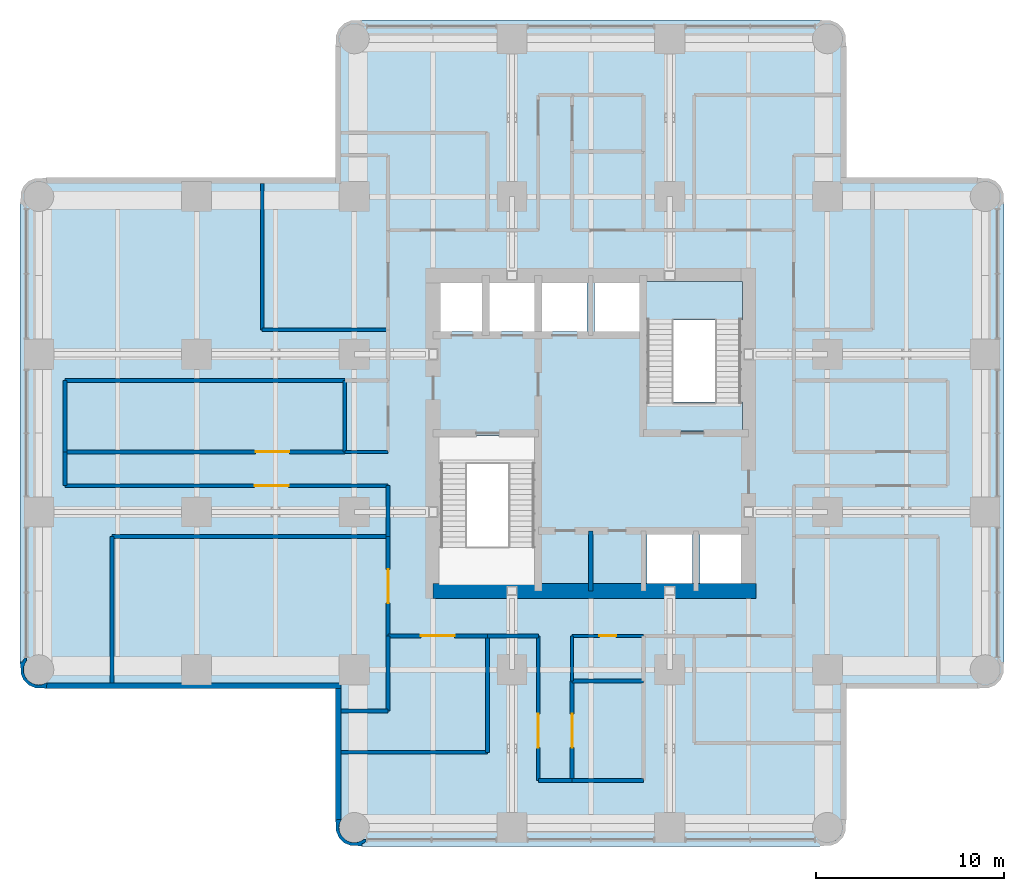
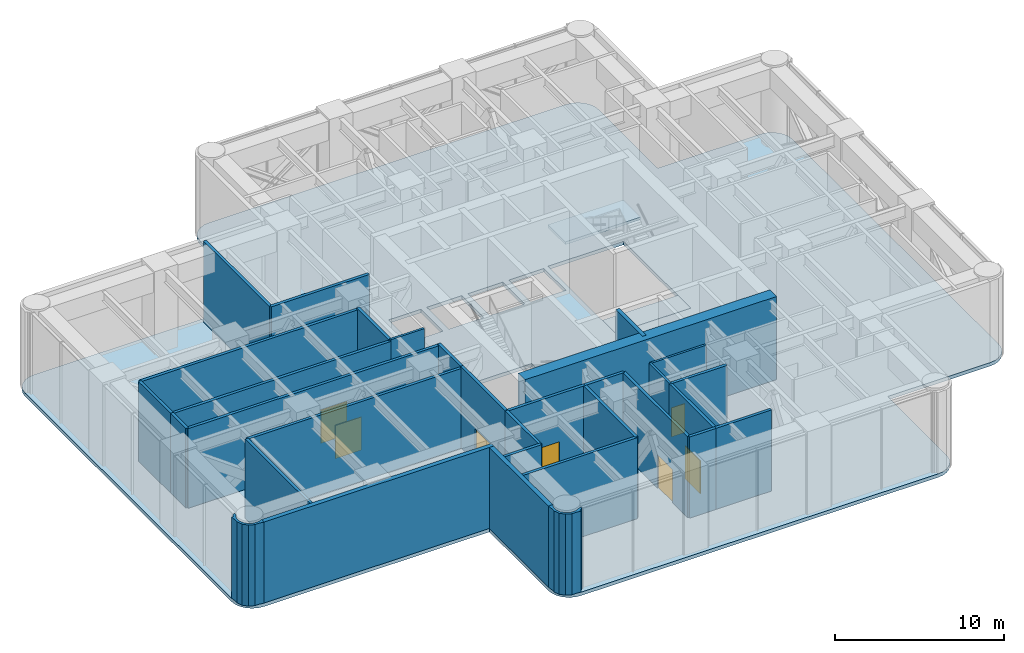
# One storey, part 7 of 12: 32 walls, 7 doors, 3 slabs, 7 openings, 1 element without a shape of its own.
"""IFC4 building model written with IfcOpenShell, lengths in metres."""

from ifc_helpers import new_model, si_unit, direction, frame, frame_2d, origin, place, context, subcontext, project, spatial, polyline, rectangle, outline, extrude, material, layer, layer_set, type_object, element, fill, aggregate, save


model = new_model("IFC4")

# Units and contexts
model_context = context("Model", 3, precision=1e-05, world=origin(), true_north=direction((0.0, 1.0)))
body_context = subcontext(model_context, "Body", "Model", "MODEL_VIEW")
ifc_project = project(units=[si_unit("LENGTHUNIT", "METRE"), si_unit("AREAUNIT", "SQUARE_METRE"), si_unit("VOLUMEUNIT", "CUBIC_METRE"), si_unit("PLANEANGLEUNIT", "RADIAN"), si_unit("MASSUNIT", "GRAM", prefix="KILO")], contexts=[model_context])

# Site, building, storey
site_placement = place(None, origin())
site = spatial("IfcSite", under=ifc_project, at=site_placement, CompositionType="ELEMENT")
building_placement = place(site_placement, origin())
building = spatial("IfcBuilding", under=site, at=building_placement, Name="Torre Alcanfor", CompositionType="ELEMENT")
storey_placement = place(building_placement, frame((0.0, 0.0, 248.10009765625)))
storey = spatial("IfcBuildingStorey", under=building, at=storey_placement, Name="L65", CompositionType="ELEMENT", Elevation=248.10009765625)

# Slab
ifc_material_1 = material(Name="Concrete f'c 35 MPa", Category="concrete")
ifc_layer_1 = layer(ifc_material_1, 0.25)
ifc_layer_set_1 = layer_set([ifc_layer_1], Name="Floor slab 250")
slab_type_1 = type_object("IfcSlabType", Name="Floor slab 250", PredefinedType="FLOOR", material=ifc_layer_set_1)
slab_1_placement = place(storey_placement, frame((0.0, 0.0, -0.25)))
element("IfcSlab", 1, at=slab_1_placement, inside=storey, type_object=slab_type_1, Name="Floor slab L65", PredefinedType="FLOOR", context=body_context, shape_type="SweptSolid", body=[
    extrude(outline(polyline([(15.800048828125, 43.0), (0.39990234375, 43.0), (0.03759765625, 42.952392578125), (-0.300048828125, 42.8125), (-0.58984375, 42.58984375), (-0.8125, 42.300048828125), (-0.952392578125, 41.96240234375), (-1.0, 41.60009765625), (-1.0, 17.199951171875), (-0.952392578125, 16.837646484375), (-0.8125, 16.5), (-0.58984375, 16.210205078125), (-0.300048828125, 15.987548828125), (0.03759765625, 15.84765625), (0.39990234375, 15.800048828125), (15.800048828125, 15.800048828125), (15.800048828125, 8.800048828125), (15.84765625, 8.437744140625), (15.987548828125, 8.10009765625), (16.210205078125, 7.81005859375), (16.5, 7.587646484375), (16.837646484375, 7.44775390625), (17.199951171875, 7.39990234375), (41.60009765625, 7.39990234375), (41.96240234375, 7.44775390625), (42.300048828125, 7.587646484375), (42.58984375, 7.81005859375), (42.8125, 8.10009765625), (42.952392578125, 8.437744140625), (43.0, 8.800048828125), (43.0, 15.800048828125), (50.0, 15.800048828125), (50.3623046875, 15.84765625), (50.699951171875, 15.987548828125), (50.989990234375, 16.210205078125), (51.21240234375, 16.5), (51.352294921875, 16.837646484375), (51.39990234375, 17.199951171875), (51.39990234375, 41.60009765625), (51.352294921875, 41.96240234375), (51.21240234375, 42.300048828125), (50.989990234375, 42.58984375), (50.699951171875, 42.8125), (50.3623046875, 42.952392578125), (50.0, 43.0), (43.0, 43.0), (43.0, 50.0), (42.952392578125, 50.3623046875), (42.8125, 50.699951171875), (42.58984375, 50.989990234375), (42.300048828125, 51.21240234375), (41.96240234375, 51.352294921875), (41.60009765625, 51.39990234375), (17.199951171875, 51.39990234375), (16.837646484375, 51.352294921875), (16.5, 51.21240234375), (16.210205078125, 50.989990234375), (15.987548828125, 50.699951171875), (15.84765625, 50.3623046875), (15.800048828125, 50.0), (15.800048828125, 43.0)]), holes=[polyline([(21.320068359375, 21.320068359375), (26.47998046875, 21.320068359375), (26.47998046875, 29.280029296875), (21.320068359375, 29.280029296875), (21.320068359375, 21.320068359375)]), polyline([(32.320068359375, 29.52001953125), (37.47998046875, 29.52001953125), (37.47998046875, 37.47998046875), (32.320068359375, 37.47998046875), (32.320068359375, 29.52001953125)]), polyline([(32.39990234375, 21.39990234375), (34.800048828125, 21.39990234375), (34.800048828125, 24.0), (32.39990234375, 24.0), (32.39990234375, 21.39990234375)]), polyline([(35.199951171875, 21.39990234375), (37.39990234375, 21.39990234375), (37.39990234375, 24.0), (35.199951171875, 24.0), (35.199951171875, 21.39990234375)]), polyline([(21.39990234375, 34.800048828125), (23.60009765625, 34.800048828125), (23.60009765625, 37.39990234375), (21.39990234375, 37.39990234375), (21.39990234375, 34.800048828125)]), polyline([(24.0, 34.800048828125), (26.39990234375, 34.800048828125), (26.39990234375, 37.39990234375), (24.0, 37.39990234375), (24.0, 34.800048828125)]), polyline([(26.800048828125, 34.800048828125), (29.199951171875, 34.800048828125), (29.199951171875, 37.39990234375), (26.800048828125, 37.39990234375), (26.800048828125, 34.800048828125)]), polyline([(29.60009765625, 34.800048828125), (32.0, 34.800048828125), (32.0, 37.39990234375), (29.60009765625, 37.39990234375), (29.60009765625, 34.800048828125)])]), origin(), (0.0, 0.0, 1.0), 0.25),
])

# Stair, slabs
ifc_material_2 = material(Name="Concrete f'c 35 MPa", Category="concrete")
stair_type = type_object("IfcStairType", Name="Exit stair S2 1400 wide", PredefinedType="HALF_TURN_STAIR", material=ifc_material_2)
stair_placement = place(storey_placement, origin())
stair = element("IfcStair", 2, at=stair_placement, inside=storey, type_object=stair_type, Name="Stair S2 L65 to L66", PredefinedType="HALF_TURN_STAIR")
ifc_material_3 = material(Name="Concrete f'c 35 MPa", Category="concrete")
ifc_layer_2 = layer(ifc_material_3, 0.199951171875)
ifc_layer_set_2 = layer_set([ifc_layer_2], Name="Stair landing 200")
slab_type_2 = type_object("IfcSlabType", Name="Stair landing 200", PredefinedType="LANDING", material=ifc_layer_set_2)
slab_2_placement = place(storey_placement, frame((0.0, 0.0, -0.2001953125)))
slab_2 = element("IfcSlab", 3, at=slab_2_placement, type_object=slab_type_2, Name="S2 landing 1", PredefinedType="LANDING", context=body_context, shape_type="SweptSolid", body=[
    extrude(outline(polyline([(32.320068359375, 29.52001953125), (37.47998046875, 29.52001953125), (37.47998046875, 31.050048828125), (32.320068359375, 31.050048828125), (32.320068359375, 29.52001953125)])), origin(), (0.0, 0.0, 1.0), 0.2001953125),
])
slab_3_placement = place(storey_placement, frame((0.0, 0.0, 2.7998046875)))
slab_3 = element("IfcSlab", 4, at=slab_3_placement, type_object=slab_type_2, Name="S2 landing 2", PredefinedType="LANDING", context=body_context, shape_type="SweptSolid", body=[
    extrude(outline(polyline([(32.320068359375, 35.429931640625), (37.47998046875, 35.429931640625), (37.47998046875, 37.47998046875), (32.320068359375, 37.47998046875), (32.320068359375, 35.429931640625)])), origin(), (0.0, 0.0, 1.0), 0.2001953125),
])
aggregate(stair, [slab_2, slab_3])

# Walls
ifc_material_4 = material(Name="Concrete f'c 70 MPa", Category="concrete")
ifc_layer_3 = layer(ifc_material_4, 0.25)
ifc_layer_set_3 = layer_set([ifc_layer_3], Name="Core shaft wall 250 f'c70")
wall_type_1 = type_object("IfcWallType", Name="Core shaft wall 250 f'c70", PredefinedType="SHEAR", material=ifc_layer_set_3)
wall_1_placement = place(storey_placement, frame((29.39990234375, 21.0, 0.0), z_axis=(0.0, 0.0, 1.0), x_axis=(0.0, 1.0, 0.0)))
element("IfcWall", 5, at=wall_1_placement, inside=storey, type_object=wall_type_1, Name="Core wall X294S L65", PredefinedType="SHEAR", context=body_context, shape_type="SweptSolid", body=[
    extrude(rectangle(XDim=3.199951171875, YDim=0.25, at=frame_2d((1.60009765625, 0.0))), origin(), (0.0, 0.0, 1.0), 6.0),
])
ifc_material_5 = material(Name="Concrete f'c 70 MPa", Category="concrete")
ifc_layer_4 = layer(ifc_material_5, 0.800048828125)
ifc_layer_set_4 = layer_set([ifc_layer_4], Name="Core wall 800 f'c70")
wall_type_2 = type_object("IfcWallType", Name="Core wall 800 f'c70", PredefinedType="SHEAR", material=ifc_layer_set_4)
wall_2_placement = place(storey_placement, frame((21.0, 21.0, 0.0), z_axis=(0.0, 0.0, 1.0), x_axis=(1.0, 0.0, 0.0)))
element("IfcWall", 6, at=wall_2_placement, inside=storey, type_object=wall_type_2, Name="Core wall OUT-S L65", PredefinedType="SHEAR", context=body_context, shape_type="SweptSolid", body=[
    extrude(rectangle(XDim=17.199951171875, YDim=0.800048828125, at=frame_2d((8.60009765625, 0.0))), origin(), (0.0, 0.0, 1.0), 6.0),
])
ifc_material_6 = material(Name="Limestone cladding", Category="masonry")
ifc_layer_5 = layer(ifc_material_6, 0.0400390625, Name="Facing")
ifc_material_7 = material(Name="Ventilated air cavity")
ifc_layer_6 = layer(ifc_material_7, 0.02001953125, ventilated=True, Name="Ventilated joint")
ifc_material_8 = material(Name="Mineral wool insulation", Category="insulation")
ifc_layer_7 = layer(ifc_material_8, 0.10009765625, Name="Insulation")
ifc_material_9 = material(Name="Concrete f'c 35 MPa", Category="concrete")
ifc_layer_8 = layer(ifc_material_9, 0.139892578125, Name="Backing")
ifc_layer_set_5 = layer_set([ifc_layer_5, ifc_layer_6, ifc_layer_7, ifc_layer_8], Name="External wall stone-clad 300")
wall_type_3 = type_object("IfcWallType", Name="External wall stone-clad 300", PredefinedType="SOLIDWALL", material=ifc_layer_set_5)
wall_3_placement = place(storey_placement, frame((0.39990234375, 15.949951171875, 0.0), z_axis=(0.0, 0.0, 1.0), x_axis=(1.0, 0.0, 0.0)))
element("IfcWall", 7, at=wall_3_placement, inside=storey, type_object=wall_type_3, Name="External wall L65 3", PredefinedType="SOLIDWALL", context=body_context, shape_type="SweptSolid", body=[
    extrude(rectangle(XDim=15.7001953125, YDim=0.300048828125, at=frame_2d((7.85009765625, 0.0))), origin(), (0.0, 0.0, 1.0), 5.849853515625),
])
wall_4_placement = place(storey_placement, frame((15.949951171875, 15.800048828125, 0.0), z_axis=(0.0, 0.0, 1.0), x_axis=(0.0, -1.0, 0.0)))
element("IfcWall", 8, at=wall_4_placement, inside=storey, type_object=wall_type_3, Name="External wall L65 4", PredefinedType="SOLIDWALL", context=body_context, shape_type="SweptSolid", body=[
    extrude(rectangle(XDim=7.0, YDim=0.300048828125, at=frame_2d((3.5, 0.0))), origin(), (0.0, 0.0, 1.0), 5.849853515625),
])

# Wall, opening, door
ifc_material_10 = material(Name="Concrete block masonry, hollow blocks NMX-C-404 9 MPa", Category="masonry")
ifc_layer_9 = layer(ifc_material_10, 0.199951171875)
ifc_layer_set_6 = layer_set([ifc_layer_9], Name="Plant room wall 200 EI 60")
wall_type_4 = type_object("IfcWallType", Name="Plant room wall 200 EI 60", PredefinedType="PARTITIONING", material=ifc_layer_set_6)
wall_5_placement = place(storey_placement, frame((23.89990234375, 18.60009765625, 0.0), z_axis=(0.0, 0.0, 1.0), x_axis=(-1.0, 0.0, 0.0)))
wall_5 = element("IfcWall", 9, at=wall_5_placement, inside=storey, type_object=wall_type_4, Name="Partition L65-CORR / L65-S1", PredefinedType="PARTITIONING", context=body_context, shape_type="SweptSolid", body=[
    extrude(rectangle(XDim=5.2998046875, YDim=0.199951171875, at=frame_2d((2.64990234375, 0.0))), origin(), (0.0, 0.0, 1.0), 5.849853515625),
])
opening_1_placement = place(wall_5_placement, frame((1.75, 0.0, 0.0)))
opening_1 = element("IfcOpeningElement", 10, at=opening_1_placement, cuts=wall_5, Name="Opening D-P1", PredefinedType="OPENING", context=body_context, shape_type="SweptSolid", body=[
    extrude(rectangle(XDim=1.800048828125, YDim=2.39990234375, at=frame_2d((0.89990234375, 1.199951171875))), frame((0.0, 0.10986328125, 0.0), z_axis=(0.0, -1.0, 0.0), x_axis=(1.0, 0.0, 0.0)), (0.0, 0.0, 1.0), 0.219970703125),
])
ifc_material_11 = material(Name="Galvanised steel sheet ASTM A653", Category="steel")
door_type_1 = type_object("IfcDoorType", Name="Plant room door FD60 1800x2400", OperationType="DOUBLE_DOOR_SINGLE_SWING", PredefinedType="DOOR", material=ifc_material_11)
door_1_placement = place(opening_1_placement, origin())
door_1 = element("IfcDoor", 11, at=door_1_placement, inside=storey, type_object=door_type_1, Name="Door L65-S1 chilled water heat exchanger room", OperationType="DOUBLE_DOOR_SINGLE_SWING", OverallHeight=2.39990234375, OverallWidth=1.800048828125, PredefinedType="DOOR", context=body_context, shape_type="SweptSolid", body=[
    extrude(rectangle(XDim=1.800048828125, YDim=2.39990234375, at=frame_2d((0.89990234375, 1.199951171875))), frame((0.0, 0.02490234375, 0.0), z_axis=(0.0, -1.0, 0.0), x_axis=(1.0, 0.0, 0.0)), (0.0, 0.0, 1.0), 0.050048828125),
])
fill(opening_1, door_1)

# Wall
wall_6_placement = place(storey_placement, frame((26.60009765625, 18.60009765625, 0.0), z_axis=(0.0, 0.0, 1.0), x_axis=(-1.0, 0.0, 0.0)))
element("IfcWall", 12, at=wall_6_placement, inside=storey, type_object=wall_type_4, Name="Partition L65-CORR / L65-SH", PredefinedType="PARTITIONING", context=body_context, shape_type="SweptSolid", body=[
    extrude(rectangle(XDim=2.7001953125, YDim=0.199951171875, at=frame_2d((1.35009765625, 0.0))), origin(), (0.0, 0.0, 1.0), 5.849853515625),
])

# Wall, opening, door
wall_7_placement = place(storey_placement, frame((18.60009765625, 18.60009765625, 0.0), z_axis=(0.0, 0.0, 1.0), x_axis=(0.0, 1.0, 0.0)))
wall_7 = element("IfcWall", 13, at=wall_7_placement, inside=storey, type_object=wall_type_4, Name="Partition L65-CORR / L65-W1", PredefinedType="PARTITIONING", context=body_context, shape_type="SweptSolid", body=[
    extrude(rectangle(XDim=5.2998046875, YDim=0.199951171875, at=frame_2d((2.64990234375, 0.0))), origin(), (0.0, 0.0, 1.0), 5.849853515625),
])
opening_2_placement = place(wall_7_placement, frame((1.75, 0.0, 0.0)))
opening_2 = element("IfcOpeningElement", 14, at=opening_2_placement, cuts=wall_7, Name="Opening D-P1", PredefinedType="OPENING", context=body_context, shape_type="SweptSolid", body=[
    extrude(rectangle(XDim=1.800048828125, YDim=2.39990234375, at=frame_2d((0.89990234375, 1.199951171875))), frame((0.0, 0.10986328125, 0.0), z_axis=(0.0, -1.0, 0.0), x_axis=(1.0, 0.0, 0.0)), (0.0, 0.0, 1.0), 0.219970703125),
])
door_2_placement = place(opening_2_placement, origin())
door_2 = element("IfcDoor", 15, at=door_2_placement, inside=storey, type_object=door_type_1, Name="Door L65-W1 sprinkler zone valve room", OperationType="DOUBLE_DOOR_SINGLE_SWING", OverallHeight=2.39990234375, OverallWidth=1.800048828125, PredefinedType="DOOR", context=body_context, shape_type="SweptSolid", body=[
    extrude(rectangle(XDim=1.800048828125, YDim=2.39990234375, at=frame_2d((0.89990234375, 1.199951171875))), frame((0.0, 0.02490234375, 0.0), z_axis=(0.0, -1.0, 0.0), x_axis=(1.0, 0.0, 0.0)), (0.0, 0.0, 1.0), 0.050048828125),
])
fill(opening_2, door_2)

# Walls
wall_8_placement = place(storey_placement, frame((18.60009765625, 23.89990234375, 0.0), z_axis=(0.0, 0.0, 1.0), x_axis=(0.0, 1.0, 0.0)))
element("IfcWall", 16, at=wall_8_placement, inside=storey, type_object=wall_type_4, Name="Partition L65-CORR / L65-WH", PredefinedType="PARTITIONING", context=body_context, shape_type="SweptSolid", body=[
    extrude(rectangle(XDim=2.7001953125, YDim=0.199951171875, at=frame_2d((1.35009765625, 0.0))), origin(), (0.0, 0.0, 1.0), 5.849853515625),
])
wall_9_placement = place(storey_placement, frame((23.89990234375, 18.60009765625, 0.0), z_axis=(0.0, 0.0, 1.0), x_axis=(0.0, -1.0, 0.0)))
element("IfcWall", 17, at=wall_9_placement, inside=storey, type_object=wall_type_4, Name="Partition L65-S1 / L65-SH", PredefinedType="PARTITIONING", context=body_context, shape_type="SweptSolid", body=[
    extrude(rectangle(XDim=6.2001953125, YDim=0.199951171875, at=frame_2d((3.10009765625, 0.0))), origin(), (0.0, 0.0, 1.0), 5.849853515625),
])
wall_10_placement = place(storey_placement, frame((23.89990234375, 12.39990234375, 0.0), z_axis=(0.0, 0.0, 1.0), x_axis=(-1.0, 0.0, 0.0)))
element("IfcWall", 18, at=wall_10_placement, inside=storey, type_object=wall_type_4, Name="Partition L65-S1 / L65-SH", PredefinedType="PARTITIONING", context=body_context, shape_type="SweptSolid", body=[
    extrude(rectangle(XDim=7.7998046875, YDim=0.199951171875, at=frame_2d((3.89990234375, 0.0))), origin(), (0.0, 0.0, 1.0), 5.849853515625),
])
wall_11_placement = place(storey_placement, frame((16.10009765625, 14.60009765625, 0.0), z_axis=(0.0, 0.0, 1.0), x_axis=(1.0, 0.0, 0.0)))
element("IfcWall", 19, at=wall_11_placement, inside=storey, type_object=wall_type_4, Name="Partition L65-S1 / L65-W1", PredefinedType="PARTITIONING", context=body_context, shape_type="SweptSolid", body=[
    extrude(rectangle(XDim=2.5, YDim=0.199951171875, at=frame_2d((1.25, 0.0))), origin(), (0.0, 0.0, 1.0), 5.849853515625),
])
wall_12_placement = place(storey_placement, frame((18.60009765625, 14.60009765625, 0.0), z_axis=(0.0, 0.0, 1.0), x_axis=(0.0, 1.0, 0.0)))
element("IfcWall", 20, at=wall_12_placement, inside=storey, type_object=wall_type_4, Name="Partition L65-S1 / L65-W1", PredefinedType="PARTITIONING", context=body_context, shape_type="SweptSolid", body=[
    extrude(rectangle(XDim=4.0, YDim=0.199951171875, at=frame_2d((2.0, 0.0))), origin(), (0.0, 0.0, 1.0), 5.849853515625),
])

# Wall, opening, door
wall_13_placement = place(storey_placement, frame((28.39990234375, 16.199951171875, 0.0), z_axis=(0.0, 0.0, 1.0), x_axis=(0.0, -1.0, 0.0)))
wall_13 = element("IfcWall", 21, at=wall_13_placement, inside=storey, type_object=wall_type_4, Name="Partition L65-SC / L65-S4", PredefinedType="PARTITIONING", context=body_context, shape_type="SweptSolid", body=[
    extrude(rectangle(XDim=5.300048828125, YDim=0.199951171875, at=frame_2d((2.64990234375, 0.0))), origin(), (0.0, 0.0, 1.0), 5.849853515625),
])
opening_3_placement = place(wall_13_placement, frame((1.75, 0.0, 0.0)))
opening_3 = element("IfcOpeningElement", 22, at=opening_3_placement, cuts=wall_13, Name="Opening D-P1", PredefinedType="OPENING", context=body_context, shape_type="SweptSolid", body=[
    extrude(rectangle(XDim=1.800048828125, YDim=2.39990234375, at=frame_2d((0.89990234375, 1.199951171875))), frame((0.0, 0.10986328125, 0.0), z_axis=(0.0, -1.0, 0.0), x_axis=(1.0, 0.0, 0.0)), (0.0, 0.0, 1.0), 0.219970703125),
])
door_3_placement = place(opening_3_placement, origin())
door_3 = element("IfcDoor", 23, at=door_3_placement, inside=storey, type_object=door_type_1, Name="Door L65-S4 electrical riser room", OperationType="DOUBLE_DOOR_SINGLE_SWING", OverallHeight=2.39990234375, OverallWidth=1.800048828125, PredefinedType="DOOR", context=body_context, shape_type="SweptSolid", body=[
    extrude(rectangle(XDim=1.800048828125, YDim=2.39990234375, at=frame_2d((0.89990234375, 1.199951171875))), frame((0.0, 0.02490234375, 0.0), z_axis=(0.0, -1.0, 0.0), x_axis=(1.0, 0.0, 0.0)), (0.0, 0.0, 1.0), 0.050048828125),
])
fill(opening_3, door_3)

# Wall
wall_14_placement = place(storey_placement, frame((28.39990234375, 10.89990234375, 0.0), z_axis=(0.0, 0.0, 1.0), x_axis=(-1.0, 0.0, 0.0)))
element("IfcWall", 24, at=wall_14_placement, inside=storey, type_object=wall_type_4, Name="Partition L65-SC / L65-SH", PredefinedType="PARTITIONING", context=body_context, shape_type="SweptSolid", body=[
    extrude(rectangle(XDim=1.7998046875, YDim=0.199951171875, at=frame_2d((0.89990234375, 0.0))), origin(), (0.0, 0.0, 1.0), 5.849853515625),
])

# Wall, opening, door
wall_15_placement = place(storey_placement, frame((26.60009765625, 10.89990234375, 0.0), z_axis=(0.0, 0.0, 1.0), x_axis=(0.0, 1.0, 0.0)))
wall_15 = element("IfcWall", 25, at=wall_15_placement, inside=storey, type_object=wall_type_4, Name="Partition L65-SC / L65-SH", PredefinedType="PARTITIONING", context=body_context, shape_type="SweptSolid", body=[
    extrude(rectangle(XDim=7.7001953125, YDim=0.199951171875, at=frame_2d((3.85009765625, 0.0))), origin(), (0.0, 0.0, 1.0), 5.849853515625),
])
opening_4_placement = place(wall_15_placement, frame((1.75, 0.0, 0.0)))
opening_4 = element("IfcOpeningElement", 26, at=opening_4_placement, cuts=wall_15, Name="Opening D-P1", PredefinedType="OPENING", context=body_context, shape_type="SweptSolid", body=[
    extrude(rectangle(XDim=1.800048828125, YDim=2.39990234375, at=frame_2d((0.89990234375, 1.199951171875))), frame((0.0, 0.10986328125, 0.0), z_axis=(0.0, -1.0, 0.0), x_axis=(1.0, 0.0, 0.0)), (0.0, 0.0, 1.0), 0.219970703125),
])
door_4_placement = place(opening_4_placement, origin())
door_4 = element("IfcDoor", 27, at=door_4_placement, inside=storey, type_object=door_type_1, Name="Door L65-SH air handling plant room", OperationType="DOUBLE_DOOR_SINGLE_SWING", OverallHeight=2.39990234375, OverallWidth=1.800048828125, PredefinedType="DOOR", context=body_context, shape_type="SweptSolid", body=[
    extrude(rectangle(XDim=1.800048828125, YDim=2.39990234375, at=frame_2d((0.89990234375, 1.199951171875))), frame((0.0, 0.02490234375, 0.0), z_axis=(0.0, -1.0, 0.0), x_axis=(1.0, 0.0, 0.0)), (0.0, 0.0, 1.0), 0.050048828125),
])
fill(opening_4, door_4)

# Walls
for number, where, z_axis, x_axis, name in (
    (28, (32.199951171875, 16.199951171875, 0.0), (0.0, 0.0, 1.0), (-1.0, 0.0, 0.0), "Partition L65-S3 / L65-S4"),
    (29, (32.199951171875, 10.89990234375, 0.0), (0.0, 0.0, 1.0), (-1.0, 0.0, 0.0), "Partition L65-S4 / L65-SH"),
):
    element("IfcWall", number, at=place(storey_placement, frame(where, z_axis=z_axis, x_axis=x_axis)), inside=storey, type_object=wall_type_4, Name=name, PredefinedType="PARTITIONING", context=body_context, shape_type="SweptSolid", body=[
        extrude(rectangle(XDim=3.800048828125, YDim=0.199951171875, at=frame_2d((1.89990234375, 0.0))), origin(), (0.0, 0.0, 1.0), 5.849853515625),
    ])
wall_16_placement = place(storey_placement, frame((3.89990234375, 16.10009765625, 0.0), z_axis=(0.0, 0.0, 1.0), x_axis=(0.0, 1.0, 0.0)))
element("IfcWall", 30, at=wall_16_placement, inside=storey, type_object=wall_type_4, Name="Partition L65-W1 / L65-WH", PredefinedType="PARTITIONING", context=body_context, shape_type="SweptSolid", body=[
    extrude(rectangle(XDim=7.7998046875, YDim=0.199951171875, at=frame_2d((3.89990234375, 0.0))), origin(), (0.0, 0.0, 1.0), 5.75),
])
wall_17_placement = place(storey_placement, frame((3.89990234375, 23.89990234375, 0.0), z_axis=(0.0, 0.0, 1.0), x_axis=(1.0, 0.0, 0.0)))
element("IfcWall", 31, at=wall_17_placement, inside=storey, type_object=wall_type_4, Name="Partition L65-W1 / L65-WH", PredefinedType="PARTITIONING", context=body_context, shape_type="SweptSolid", body=[
    extrude(rectangle(XDim=14.7001953125, YDim=0.199951171875, at=frame_2d((7.35009765625, 0.0))), origin(), (0.0, 0.0, 1.0), 5.75),
])
wall_18_placement = place(storey_placement, frame((18.60009765625, 34.89990234375, 0.0), z_axis=(0.0, 0.0, 1.0), x_axis=(-1.0, 0.0, 0.0)))
element("IfcWall", 32, at=wall_18_placement, inside=storey, type_object=wall_type_4, Name="Partition L65-W2 / L65-WH", PredefinedType="PARTITIONING", context=body_context, shape_type="SweptSolid", body=[
    extrude(rectangle(XDim=6.7001953125, YDim=0.199951171875, at=frame_2d((3.35009765625, 0.0))), origin(), (0.0, 0.0, 1.0), 5.849853515625),
])
wall_19_placement = place(storey_placement, frame((11.89990234375, 34.89990234375, 0.0), z_axis=(0.0, 0.0, 1.0), x_axis=(0.0, 1.0, 0.0)))
element("IfcWall", 33, at=wall_19_placement, inside=storey, type_object=wall_type_4, Name="Partition L65-W2 / L65-WH", PredefinedType="PARTITIONING", context=body_context, shape_type="SweptSolid", body=[
    extrude(rectangle(XDim=7.800048828125, YDim=0.199951171875, at=frame_2d((3.89990234375, 0.0))), origin(), (0.0, 0.0, 1.0), 5.849853515625),
])

# Wall, opening, door
wall_20_placement = place(storey_placement, frame((1.39990234375, 28.39990234375, 0.0), z_axis=(0.0, 0.0, 1.0), x_axis=(1.0, 0.0, 0.0)))
wall_20 = element("IfcWall", 34, at=wall_20_placement, inside=storey, type_object=wall_type_4, Name="Partition L65-WC / L65-REF", PredefinedType="PARTITIONING", context=body_context, shape_type="SweptSolid", body=[
    extrude(rectangle(XDim=14.900146484375, YDim=0.199951171875, at=frame_2d((7.4501953125, 0.0))), origin(), (0.0, 0.0, 1.0), 5.75),
])
opening_5_placement = place(wall_20_placement, frame((10.14990234375, 0.0, 0.0)))
opening_5 = element("IfcOpeningElement", 35, at=opening_5_placement, cuts=wall_20, Name="Opening D-P1", PredefinedType="OPENING", context=body_context, shape_type="SweptSolid", body=[
    extrude(rectangle(XDim=1.800048828125, YDim=2.39990234375, at=frame_2d((0.89990234375, 1.199951171875))), frame((0.0, 0.10986328125, 0.0), z_axis=(0.0, -1.0, 0.0), x_axis=(1.0, 0.0, 0.0)), (0.0, 0.0, 1.0), 0.219970703125),
])
door_5_placement = place(opening_5_placement, frame((1.800048828125, 0.0, 0.0), z_axis=(0.0, 0.0, 1.0), x_axis=(-1.0, 0.0, 0.0)))
door_5 = element("IfcDoor", 36, at=door_5_placement, inside=storey, type_object=door_type_1, Name="Door L65-REF refuge area", OperationType="DOUBLE_DOOR_SINGLE_SWING", OverallHeight=2.39990234375, OverallWidth=1.800048828125, PredefinedType="DOOR", context=body_context, shape_type="SweptSolid", body=[
    extrude(rectangle(XDim=1.800048828125, YDim=2.39990234375, at=frame_2d((0.900146484375, 1.199951171875))), frame((0.0, 0.025146484375, 0.0), z_axis=(0.0, -1.0, 0.0), x_axis=(1.0, 0.0, 0.0)), (0.0, 0.0, 1.0), 0.050048828125),
])
fill(opening_5, door_5)

wall_21_placement = place(storey_placement, frame((18.60009765625, 26.60009765625, 0.0), z_axis=(0.0, 0.0, 1.0), x_axis=(-1.0, 0.0, 0.0)))
wall_21 = element("IfcWall", 37, at=wall_21_placement, inside=storey, type_object=wall_type_4, Name="Partition L65-WC / L65-WH", PredefinedType="PARTITIONING", context=body_context, shape_type="SweptSolid", body=[
    extrude(rectangle(XDim=17.2001953125, YDim=0.199951171875, at=frame_2d((8.60009765625, 0.0))), origin(), (0.0, 0.0, 1.0), 5.75),
])
opening_6_placement = place(wall_21_placement, frame((5.300048828125, 0.0, 0.0)))
opening_6 = element("IfcOpeningElement", 38, at=opening_6_placement, cuts=wall_21, Name="Opening D-P1", PredefinedType="OPENING", context=body_context, shape_type="SweptSolid", body=[
    extrude(rectangle(XDim=1.800048828125, YDim=2.39990234375, at=frame_2d((0.89990234375, 1.199951171875))), frame((0.0, 0.10986328125, 0.0), z_axis=(0.0, -1.0, 0.0), x_axis=(1.0, 0.0, 0.0)), (0.0, 0.0, 1.0), 0.219970703125),
])
door_6_placement = place(opening_6_placement, origin())
door_6 = element("IfcDoor", 39, at=door_6_placement, inside=storey, type_object=door_type_1, Name="Door L65-WH air handling plant room", OperationType="DOUBLE_DOOR_SINGLE_SWING", OverallHeight=2.39990234375, OverallWidth=1.800048828125, PredefinedType="DOOR", context=body_context, shape_type="SweptSolid", body=[
    extrude(rectangle(XDim=1.800048828125, YDim=2.39990234375, at=frame_2d((0.89990234375, 1.199951171875))), frame((0.0, 0.02490234375, 0.0), z_axis=(0.0, -1.0, 0.0), x_axis=(1.0, 0.0, 0.0)), (0.0, 0.0, 1.0), 0.050048828125),
])
fill(opening_6, door_6)

# Walls
wall_22_placement = place(storey_placement, frame((1.39990234375, 26.60009765625, 0.0), z_axis=(0.0, 0.0, 1.0), x_axis=(0.0, 1.0, 0.0)))
element("IfcWall", 40, at=wall_22_placement, inside=storey, type_object=wall_type_4, Name="Partition L65-WC / L65-WH", PredefinedType="PARTITIONING", context=body_context, shape_type="SweptSolid", body=[
    extrude(rectangle(XDim=1.7998046875, YDim=0.199951171875, at=frame_2d((0.89990234375, 0.0))), origin(), (0.0, 0.0, 1.0), 5.75),
])
wall_23_placement = place(storey_placement, frame((16.300048828125, 28.39990234375, 0.0), z_axis=(0.0, 0.0, 1.0), x_axis=(0.0, 1.0, 0.0)))
element("IfcWall", 41, at=wall_23_placement, inside=storey, type_object=wall_type_4, Name="Partition L65-WW / L65-REF", PredefinedType="PARTITIONING", context=body_context, shape_type="SweptSolid", body=[
    extrude(rectangle(XDim=3.800048828125, YDim=0.199951171875, at=frame_2d((1.89990234375, 0.0))), origin(), (0.0, 0.0, 1.0), 5.849853515625),
])
wall_24_placement = place(storey_placement, frame((1.39990234375, 28.39990234375, 0.0), z_axis=(0.0, 0.0, 1.0), x_axis=(0.0, 1.0, 0.0)))
element("IfcWall", 42, at=wall_24_placement, inside=storey, type_object=wall_type_4, Name="Partition L65-REF / L65-WH", PredefinedType="PARTITIONING", context=body_context, shape_type="SweptSolid", body=[
    extrude(rectangle(XDim=3.800048828125, YDim=0.199951171875, at=frame_2d((1.89990234375, 0.0))), origin(), (0.0, 0.0, 1.0), 5.75),
])
wall_25_placement = place(storey_placement, frame((1.39990234375, 32.199951171875, 0.0), z_axis=(0.0, 0.0, 1.0), x_axis=(1.0, 0.0, 0.0)))
element("IfcWall", 43, at=wall_25_placement, inside=storey, type_object=wall_type_4, Name="Partition L65-REF / L65-WH", PredefinedType="PARTITIONING", context=body_context, shape_type="SweptSolid", body=[
    extrude(rectangle(XDim=14.900146484375, YDim=0.199951171875, at=frame_2d((7.4501953125, 0.0))), origin(), (0.0, 0.0, 1.0), 5.75),
])
ifc_layer_10 = layer(ifc_material_6, 0.0400390625, Name="Facing")
ifc_layer_11 = layer(ifc_material_7, 0.02001953125, ventilated=True, Name="Ventilated joint")
ifc_layer_12 = layer(ifc_material_8, 0.10009765625, Name="Insulation")
ifc_layer_13 = layer(ifc_material_9, 0.139892578125, Name="Backing")
ifc_layer_set_7 = layer_set([ifc_layer_10, ifc_layer_11, ifc_layer_12, ifc_layer_13], Name="Rounded corner pier stone-clad 300")
wall_type_5 = type_object("IfcWallType", Name="Rounded corner pier stone-clad 300", PredefinedType="SOLIDWALL", material=ifc_layer_set_7)
wall_26_placement = place(storey_placement, frame((-0.664595899, 17.376812181, 0.0), z_axis=(0.0, 0.0, 1.0), x_axis=(-0.936905536785, -0.34958262992, 0.0)))
element("IfcWall", 44, at=wall_26_placement, inside=storey, type_object=wall_type_5, Name="Corner pier L65 14", PredefinedType="SOLIDWALL", context=body_context, shape_type="SweptSolid", body=[
    extrude(outline(polyline([(-0.44612521787120507, 1.849408410753778), (-0.5880724222487863, 1.5821172685023739), (-0.5695447492801378, 1.5752041354399955), (-0.5584766086632929, 1.5692502651071332), (-0.2901488956335622, 1.5788355382975605), (0.008123765491347357, 1.4675426307254447), (0.24139191613410424, 1.2504741457305815), (0.3739690520162771, 0.960489243265147), (0.385179796931429, 0.6420444655081479), (0.27380154203755536, 0.34354306767992177), (0.056733057042692145, 0.1102749170371648), (0.01912832135552118, 0.09329692795341456), (-0.03267750295143768, -0.045546250959791035), (0.03937455859330657, -0.07243065731348468), (0.15127381884155286, -0.021155300775202893), (0.24457677540339295, 0.07875190066158645), (0.37606949598747486, 0.04845061097713396), (0.44472874491019493, 0.34699603067131685), (0.5451825426190756, 0.6162191304750121), (0.531496137272363, 0.9978667125004657), (0.3729074812682297, 1.3452436442327589), (0.09342064338681183, 1.6053550727560741), (-0.17557371971356672, 1.705723523143197), (-0.44612521787120507, 1.849408410753778)])), origin(), (0.0, 0.0, 1.0), 5.849853515625),
])
wall_27_placement = place(storey_placement, frame((15.982940512, 8.726823795, 0.0), z_axis=(0.0, 0.0, 1.0), x_axis=(-0.34958262992, -0.936905536785, 0.0)))
element("IfcWall", 45, at=wall_27_placement, inside=storey, type_object=wall_type_5, Name="Corner pier L65 15", PredefinedType="SOLIDWALL", context=body_context, shape_type="SweptSolid", body=[
    extrude(outline(polyline([(0.8177542674353981, 1.604092716188183), (0.6860328101479995, 1.5737060791819726), (0.5929585902894761, 1.67369862794052), (0.4810593300412299, 1.7249739844788015), (0.4090072684964857, 1.6980895781251077), (0.4608130928034445, 1.5592463992119021), (0.49818909178729875, 1.5421830628063944), (0.7152575767821621, 1.3089149121636374), (0.8266358316760357, 1.0104135143354112), (0.8154250867608838, 0.6919687365784122), (0.6830766875820277, 0.40206918143473547), (0.44980853693927064, 0.1850006964398722), (0.1513071391110445, 0.07362244154599852), (-0.11679183721536959, 0.08329306205818354), (-0.12785997783221437, 0.07733919172532136), (-0.14661638750417955, 0.07034071134118525), (-0.004669183126598406, -0.19695043091021894), (0.2661110517343566, -0.05318019597788036), (0.5351054148347352, 0.04718825440924257), (0.8145922527161531, 0.30729968293255805), (0.9731809087202863, 0.654676614664851), (0.986867314066999, 1.0363241966903047), (0.8864135163581184, 1.305547296494), (0.8177542674353981, 1.604092716188183)])), origin(), (0.0, 0.0, 1.0), 5.849853515625),
])

# Wall, opening, door
ifc_material_12 = material(Name="Cement board on steel studs", Category="steel")
ifc_layer_14 = layer(ifc_material_12, 0.14990234375)
ifc_layer_set_8 = layer_set([ifc_layer_14], Name="Wet area partition 150")
wall_type_6 = type_object("IfcWallType", Name="Wet area partition 150", PredefinedType="PARTITIONING", material=ifc_layer_set_8)
wall_28_placement = place(storey_placement, frame((32.199951171875, 18.60009765625, 0.0), z_axis=(0.0, 0.0, 1.0), x_axis=(-1.0, 0.0, 0.0)))
wall_28 = element("IfcWall", 46, at=wall_28_placement, inside=storey, type_object=wall_type_6, Name="Partition L65-CORR / L65-S3", PredefinedType="PARTITIONING", context=body_context, shape_type="SweptSolid", body=[
    extrude(rectangle(XDim=3.800048828125, YDim=0.14990234375, at=frame_2d((1.89990234375, 0.0))), origin(), (0.0, 0.0, 1.0), 5.849853515625),
])
opening_7_placement = place(wall_28_placement, frame((1.449951171875, 0.0, 0.0)))
opening_7 = element("IfcOpeningElement", 47, at=opening_7_placement, cuts=wall_28, Name="Opening D-W1", PredefinedType="OPENING", context=body_context, shape_type="SweptSolid", body=[
    extrude(rectangle(XDim=0.89990234375, YDim=2.10009765625, at=frame_2d((0.449951171875, 1.050048828125))), frame((0.0, 0.0849609375, 0.0), z_axis=(0.0, -1.0, 0.0), x_axis=(1.0, 0.0, 0.0)), (0.0, 0.0, 1.0), 0.169921875),
])
ifc_material_13 = material(Name="Timber", Category="wood")
door_type_2 = type_object("IfcDoorType", Name="Toilet door 900x2100", OperationType="SINGLE_SWING_LEFT", PredefinedType="DOOR", material=ifc_material_13)
door_7_placement = place(opening_7_placement, origin())
door_7 = element("IfcDoor", 48, at=door_7_placement, inside=storey, type_object=door_type_2, Name="Door L65-S3 maintenance wc", OperationType="SINGLE_SWING_LEFT", OverallHeight=2.10009765625, OverallWidth=0.89990234375, PredefinedType="DOOR", context=body_context, shape_type="SweptSolid", body=[
    extrude(rectangle(XDim=0.89990234375, YDim=2.10009765625, at=frame_2d((0.449951171875, 1.050048828125))), frame((0.0, 0.02490234375, 0.0), z_axis=(0.0, -1.0, 0.0), x_axis=(1.0, 0.0, 0.0)), (0.0, 0.0, 1.0), 0.050048828125),
])
fill(opening_7, door_7)

# Walls
wall_29_placement = place(storey_placement, frame((28.39990234375, 18.60009765625, 0.0), z_axis=(0.0, 0.0, 1.0), x_axis=(0.0, -1.0, 0.0)))
element("IfcWall", 49, at=wall_29_placement, inside=storey, type_object=wall_type_6, Name="Partition L65-SC / L65-S3", PredefinedType="PARTITIONING", context=body_context, shape_type="SweptSolid", body=[
    extrude(rectangle(XDim=2.400146484375, YDim=0.14990234375, at=frame_2d((1.2001953125, 0.0))), origin(), (0.0, 0.0, 1.0), 5.849853515625),
])
wall_30_placement = place(storey_placement, frame((16.300048828125, 28.39990234375, 0.0), z_axis=(0.0, 0.0, 1.0), x_axis=(1.0, 0.0, 0.0)))
element("IfcWall", 50, at=wall_30_placement, inside=storey, type_object=wall_type_6, Name="Partition L65-WC / L65-WW", PredefinedType="PARTITIONING", context=body_context, shape_type="SweptSolid", body=[
    extrude(rectangle(XDim=2.300048828125, YDim=0.14990234375, at=frame_2d((1.14990234375, 0.0))), origin(), (0.0, 0.0, 1.0), 5.849853515625),
])

save(model, "model.ifc")
